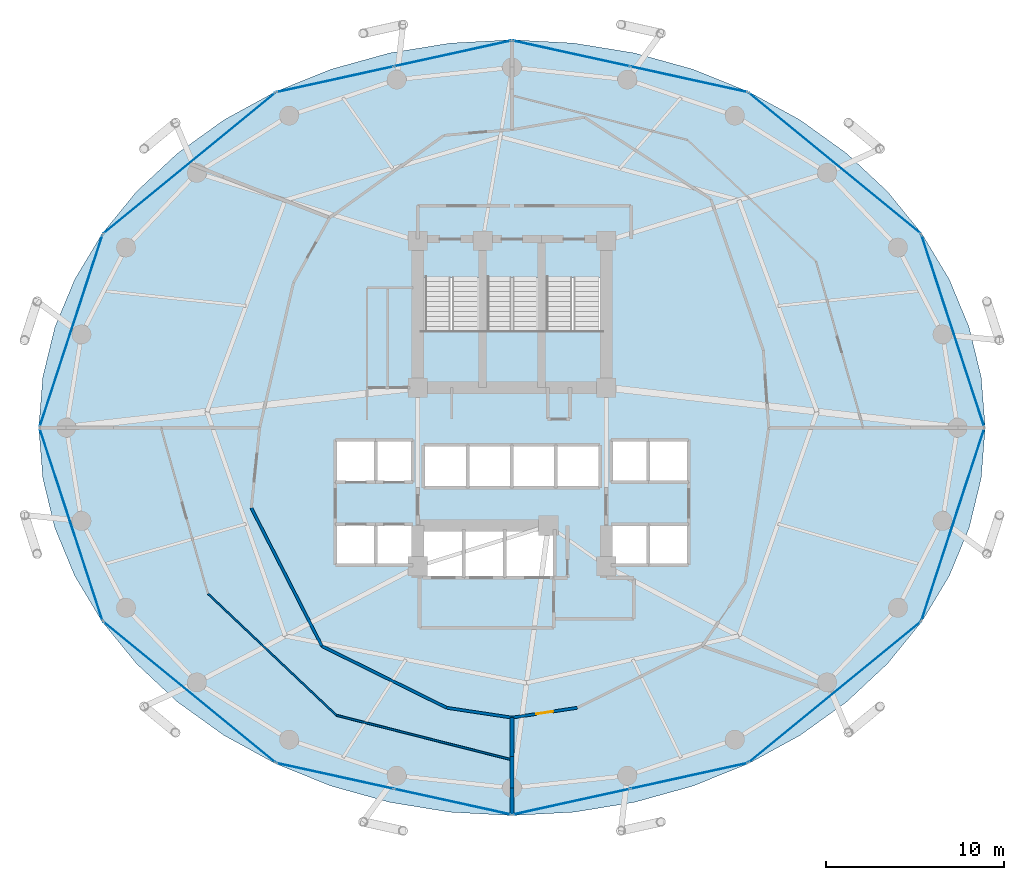
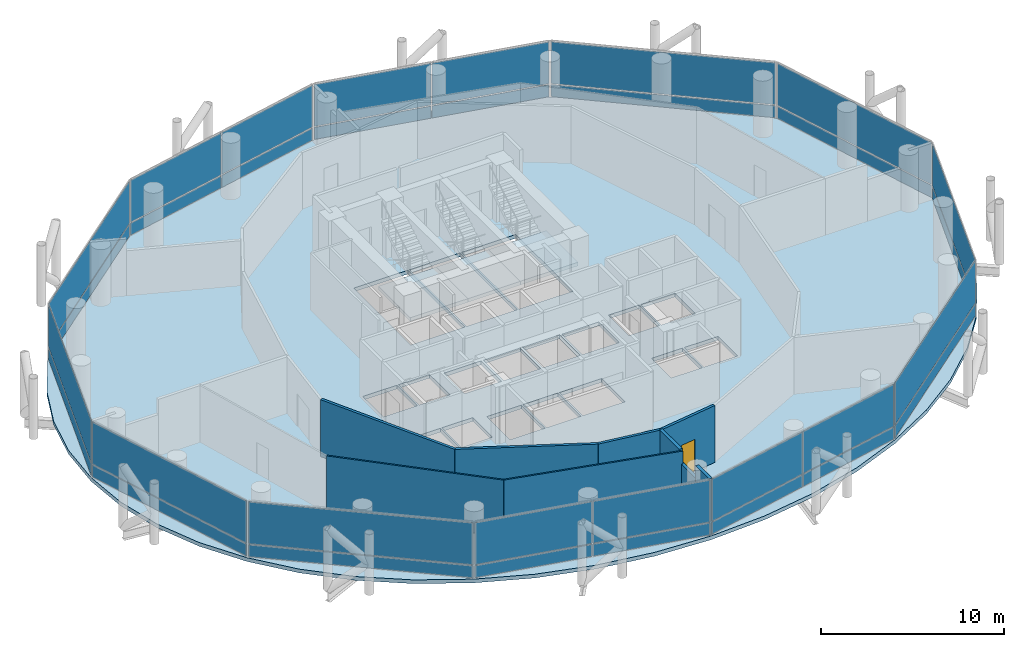
# One storey, part 20 of 24: 32 plates, 9 walls, 4 slabs, 1 door, 1 opening, 15 elements without a shape of their own.
"""IFC4 building model written with IfcOpenShell, lengths in metres."""

from ifc_helpers import new_model, si_unit, direction, frame, frame_2d, origin, origin_2d, place, context, subcontext, project, spatial, polyline, rectangle, outline, extrude, material, layer, layer_set, type_object, element, fill, aggregate, save


model = new_model("IFC4")

# Units and contexts
model_context = context("Model", 3, precision=1e-05, world=origin(), true_north=direction((0.0, 1.0)))
body_context = subcontext(model_context, "Body", "Model", "MODEL_VIEW")
ifc_project = project(units=[si_unit("LENGTHUNIT", "METRE"), si_unit("AREAUNIT", "SQUARE_METRE"), si_unit("VOLUMEUNIT", "CUBIC_METRE"), si_unit("PLANEANGLEUNIT", "RADIAN"), si_unit("MASSUNIT", "GRAM", prefix="KILO")], contexts=[model_context])

# Site, building, storey
site_placement = place(None, origin())
site = spatial("IfcSite", under=ifc_project, at=site_placement, CompositionType="ELEMENT")
building_placement = place(site_placement, origin())
building = spatial("IfcBuilding", under=site, at=building_placement, Name="Nuhasar Tower", CompositionType="ELEMENT")
storey_placement = place(building_placement, frame((0.0, 0.0, 73.64990234375)))
storey = spatial("IfcBuildingStorey", under=building, at=storey_placement, Name="L17", CompositionType="ELEMENT", Elevation=73.64990234375)

# Curtain wall, plate
ifc_material_1 = material(Name="Aluminium 6063-T6", Category="aluminium")
ifc_layer_1 = layer(ifc_material_1, 0.199951171875)
ifc_layer_set_1 = layer_set([ifc_layer_1], Name="Aluminium 6063-T6")
curtain_wall_type = type_object("IfcCurtainWallType", Name="CW-Z1-OFF", PredefinedType="NOTDEFINED", material=ifc_layer_set_1)
curtain_wall_1_placement = place(storey_placement, origin())
curtain_wall_1 = element("IfcCurtainWall", 1, at=curtain_wall_1_placement, inside=storey, type_object=curtain_wall_type, Name="L17 Unitised Curtain Wall 01", PredefinedType="NOTDEFINED")
ifc_material_2 = material(Name="Glass Double Low-E", Category="glass")
ifc_layer_2 = layer(ifc_material_2, 0.028076171875)
ifc_layer_set_2 = layer_set([ifc_layer_2], Name="Glass Double Low-E")
plate_type_1 = type_object("IfcPlateType", Name="CW-PANEL-GLZ", PredefinedType="CURTAIN_PANEL", material=ifc_layer_set_2)
plate_1_placement = place(storey_placement, frame((63.781005859375, 32.239990234375, 0.9326171875), z_axis=(0.0, 0.0, 1.0), x_axis=(-0.310823849997, 0.950467534571, 0.0)))
plate_1 = element("IfcPlate", 2, at=plate_1_placement, type_object=plate_type_1, Name="CW-Z1 panel 1.2", PredefinedType="CURTAIN_PANEL", context=body_context, shape_type="SweptSolid", body=[
    extrude(rectangle(XDim=11.31689453125, YDim=0.028076171875, at=origin_2d()), origin(), (0.0, 0.0, 1.0), 2.802490234375),
])

curtain_wall_2_placement = place(storey_placement, origin())
curtain_wall_2 = element("IfcCurtainWall", 3, at=curtain_wall_2_placement, inside=storey, type_object=curtain_wall_type, Name="L17 Unitised Curtain Wall 02", PredefinedType="NOTDEFINED")
plate_2_placement = place(storey_placement, frame((57.14111328125, 41.66259765625, 0.9326171875), z_axis=(0.0, 0.0, 1.0), x_axis=(-0.773542364946, 0.633744593376, 0.0)))
plate_2 = element("IfcPlate", 4, at=plate_2_placement, type_object=plate_type_1, Name="CW-Z1 panel 1.2", PredefinedType="CURTAIN_PANEL", context=body_context, shape_type="SweptSolid", body=[
    extrude(rectangle(XDim=12.438232421875, YDim=0.028076171875, at=origin_2d()), origin(), (0.0, 0.0, 1.0), 2.802490234375),
])

# Curtain wall, plates
curtain_wall_3_placement = place(storey_placement, origin())
curtain_wall_3 = element("IfcCurtainWall", 5, at=curtain_wall_3_placement, inside=storey, type_object=curtain_wall_type, Name="L17 Unitised Curtain Wall 03", PredefinedType="NOTDEFINED")
plate_3_placement = place(storey_placement, frame((48.944091796875, 46.377197265625, 0.9326171875), z_axis=(0.0, 0.0, 1.0), x_axis=(-0.976746221544, 0.214398737637, 0.0)))
plate_3 = element("IfcPlate", 6, at=plate_3_placement, type_object=plate_type_1, Name="CW-Z1 panel 1.2", PredefinedType="CURTAIN_PANEL", context=body_context, shape_type="SweptSolid", body=[
    extrude(rectangle(XDim=6.70068359375, YDim=0.028076171875, at=origin_2d()), origin(), (0.0, 0.0, 1.0), 2.802490234375),
])
plate_4_placement = place(storey_placement, frame((42.3359375, 47.827880859375, 0.9326171875), z_axis=(0.0, 0.0, 1.0), x_axis=(-0.976746221544, 0.214398737637, 0.0)))
plate_4 = element("IfcPlate", 7, at=plate_4_placement, type_object=plate_type_1, Name="CW-Z1 panel 2.2", PredefinedType="CURTAIN_PANEL", context=body_context, shape_type="SweptSolid", body=[
    extrude(rectangle(XDim=6.70068359375, YDim=0.028076171875, at=origin_2d()), origin(), (0.0, 0.0, 1.0), 2.802490234375),
])

curtain_wall_4_placement = place(storey_placement, origin())
curtain_wall_4 = element("IfcCurtainWall", 8, at=curtain_wall_4_placement, inside=storey, type_object=curtain_wall_type, Name="L17 Unitised Curtain Wall 04", PredefinedType="NOTDEFINED")
plate_5_placement = place(storey_placement, frame((35.6640625, 47.827880859375, 0.9326171875), z_axis=(0.0, 0.0, 1.0), x_axis=(-0.976746221544, -0.214398737637, 0.0)))
plate_5 = element("IfcPlate", 9, at=plate_5_placement, type_object=plate_type_1, Name="CW-Z1 panel 1.2", PredefinedType="CURTAIN_PANEL", context=body_context, shape_type="SweptSolid", body=[
    extrude(rectangle(XDim=6.70068359375, YDim=0.028076171875, at=origin_2d()), origin(), (0.0, 0.0, 1.0), 2.802490234375),
])
plate_6_placement = place(storey_placement, frame((29.055908203125, 46.377197265625, 0.9326171875), z_axis=(0.0, 0.0, 1.0), x_axis=(-0.976746221544, -0.214398737637, 0.0)))
plate_6 = element("IfcPlate", 10, at=plate_6_placement, type_object=plate_type_1, Name="CW-Z1 panel 2.2", PredefinedType="CURTAIN_PANEL", context=body_context, shape_type="SweptSolid", body=[
    extrude(rectangle(XDim=6.70068359375, YDim=0.028076171875, at=origin_2d()), origin(), (0.0, 0.0, 1.0), 2.802490234375),
])

# Curtain wall, plate
curtain_wall_5_placement = place(storey_placement, origin())
curtain_wall_5 = element("IfcCurtainWall", 11, at=curtain_wall_5_placement, inside=storey, type_object=curtain_wall_type, Name="L17 Unitised Curtain Wall 05", PredefinedType="NOTDEFINED")
plate_7_placement = place(storey_placement, frame((20.85888671875, 41.66259765625, 0.9326171875), z_axis=(0.0, 0.0, 1.0), x_axis=(-0.773542364946, -0.633744593376, 0.0)))
plate_7 = element("IfcPlate", 12, at=plate_7_placement, type_object=plate_type_1, Name="CW-Z1 panel 1.2", PredefinedType="CURTAIN_PANEL", context=body_context, shape_type="SweptSolid", body=[
    extrude(rectangle(XDim=12.438232421875, YDim=0.028076171875, at=origin_2d()), origin(), (0.0, 0.0, 1.0), 2.802490234375),
])

curtain_wall_6_placement = place(storey_placement, origin())
curtain_wall_6 = element("IfcCurtainWall", 13, at=curtain_wall_6_placement, inside=storey, type_object=curtain_wall_type, Name="L17 Unitised Curtain Wall 06", PredefinedType="NOTDEFINED")
plate_8_placement = place(storey_placement, frame((14.218994140625, 32.239990234375, 0.9326171875), z_axis=(0.0, 0.0, 1.0), x_axis=(-0.310823849997, -0.950467534571, 0.0)))
plate_8 = element("IfcPlate", 14, at=plate_8_placement, type_object=plate_type_1, Name="CW-Z1 panel 1.2", PredefinedType="CURTAIN_PANEL", context=body_context, shape_type="SweptSolid", body=[
    extrude(rectangle(XDim=11.31689453125, YDim=0.028076171875, at=origin_2d()), origin(), (0.0, 0.0, 1.0), 2.802490234375),
])

curtain_wall_7_placement = place(storey_placement, origin())
curtain_wall_7 = element("IfcCurtainWall", 15, at=curtain_wall_7_placement, inside=storey, type_object=curtain_wall_type, Name="L17 Unitised Curtain Wall 07", PredefinedType="NOTDEFINED")
plate_9_placement = place(storey_placement, frame((14.218994140625, 21.360107421875, 0.9326171875), z_axis=(0.0, 0.0, 1.0), x_axis=(0.310823849997, -0.950467534571, 0.0)))
plate_9 = element("IfcPlate", 16, at=plate_9_placement, type_object=plate_type_1, Name="CW-Z1 panel 1.2", PredefinedType="CURTAIN_PANEL", context=body_context, shape_type="SweptSolid", body=[
    extrude(rectangle(XDim=11.31689453125, YDim=0.028076171875, at=origin_2d()), origin(), (0.0, 0.0, 1.0), 2.802490234375),
])

curtain_wall_8_placement = place(storey_placement, origin())
curtain_wall_8 = element("IfcCurtainWall", 17, at=curtain_wall_8_placement, inside=storey, type_object=curtain_wall_type, Name="L17 Unitised Curtain Wall 08", PredefinedType="NOTDEFINED")
plate_10_placement = place(storey_placement, frame((20.85888671875, 11.9375, 0.9326171875), z_axis=(0.0, 0.0, 1.0), x_axis=(0.773542364946, -0.633744593376, 0.0)))
plate_10 = element("IfcPlate", 18, at=plate_10_placement, type_object=plate_type_1, Name="CW-Z1 panel 1.2", PredefinedType="CURTAIN_PANEL", context=body_context, shape_type="SweptSolid", body=[
    extrude(rectangle(XDim=12.438232421875, YDim=0.028076171875, at=origin_2d()), origin(), (0.0, 0.0, 1.0), 2.802490234375),
])

# Curtain wall, plates
curtain_wall_9_placement = place(storey_placement, origin())
curtain_wall_9 = element("IfcCurtainWall", 19, at=curtain_wall_9_placement, inside=storey, type_object=curtain_wall_type, Name="L17 Unitised Curtain Wall 09", PredefinedType="NOTDEFINED")
plate_11_placement = place(storey_placement, frame((29.055908203125, 7.22265625, 0.9326171875), z_axis=(0.0, 0.0, 1.0), x_axis=(0.976746221544, -0.214398737637, 0.0)))
plate_11 = element("IfcPlate", 20, at=plate_11_placement, type_object=plate_type_1, Name="CW-Z1 panel 1.2", PredefinedType="CURTAIN_PANEL", context=body_context, shape_type="SweptSolid", body=[
    extrude(rectangle(XDim=6.70068359375, YDim=0.028076171875, at=origin_2d()), origin(), (0.0, 0.0, 1.0), 2.802490234375),
])
plate_12_placement = place(storey_placement, frame((35.6640625, 5.772216796875, 0.9326171875), z_axis=(0.0, 0.0, 1.0), x_axis=(0.976746221544, -0.214398737637, 0.0)))
plate_12 = element("IfcPlate", 21, at=plate_12_placement, type_object=plate_type_1, Name="CW-Z1 panel 2.2", PredefinedType="CURTAIN_PANEL", context=body_context, shape_type="SweptSolid", body=[
    extrude(rectangle(XDim=6.70068359375, YDim=0.028076171875, at=origin_2d()), origin(), (0.0, 0.0, 1.0), 2.802490234375),
])

curtain_wall_10_placement = place(storey_placement, origin())
curtain_wall_10 = element("IfcCurtainWall", 22, at=curtain_wall_10_placement, inside=storey, type_object=curtain_wall_type, Name="L17 Unitised Curtain Wall 10", PredefinedType="NOTDEFINED")
plate_13_placement = place(storey_placement, frame((42.3359375, 5.772216796875, 0.9326171875), z_axis=(0.0, 0.0, 1.0), x_axis=(0.976746221544, 0.214398737637, 0.0)))
plate_13 = element("IfcPlate", 23, at=plate_13_placement, type_object=plate_type_1, Name="CW-Z1 panel 1.2", PredefinedType="CURTAIN_PANEL", context=body_context, shape_type="SweptSolid", body=[
    extrude(rectangle(XDim=6.70068359375, YDim=0.028076171875, at=origin_2d()), origin(), (0.0, 0.0, 1.0), 2.802490234375),
])
plate_14_placement = place(storey_placement, frame((48.944091796875, 7.22265625, 0.9326171875), z_axis=(0.0, 0.0, 1.0), x_axis=(0.976746221544, 0.214398737637, 0.0)))
plate_14 = element("IfcPlate", 24, at=plate_14_placement, type_object=plate_type_1, Name="CW-Z1 panel 2.2", PredefinedType="CURTAIN_PANEL", context=body_context, shape_type="SweptSolid", body=[
    extrude(rectangle(XDim=6.70068359375, YDim=0.028076171875, at=origin_2d()), origin(), (0.0, 0.0, 1.0), 2.802490234375),
])

# Curtain wall, plate
curtain_wall_11_placement = place(storey_placement, origin())
curtain_wall_11 = element("IfcCurtainWall", 25, at=curtain_wall_11_placement, inside=storey, type_object=curtain_wall_type, Name="L17 Unitised Curtain Wall 11", PredefinedType="NOTDEFINED")
plate_15_placement = place(storey_placement, frame((57.14111328125, 11.9375, 0.9326171875), z_axis=(0.0, 0.0, 1.0), x_axis=(0.773542364946, 0.633744593376, 0.0)))
plate_15 = element("IfcPlate", 26, at=plate_15_placement, type_object=plate_type_1, Name="CW-Z1 panel 1.2", PredefinedType="CURTAIN_PANEL", context=body_context, shape_type="SweptSolid", body=[
    extrude(rectangle(XDim=12.438232421875, YDim=0.028076171875, at=origin_2d()), origin(), (0.0, 0.0, 1.0), 2.802490234375),
])

curtain_wall_12_placement = place(storey_placement, origin())
curtain_wall_12 = element("IfcCurtainWall", 27, at=curtain_wall_12_placement, inside=storey, type_object=curtain_wall_type, Name="L17 Unitised Curtain Wall 12", PredefinedType="NOTDEFINED")
plate_16_placement = place(storey_placement, frame((63.781005859375, 21.360107421875, 0.9326171875), z_axis=(0.0, 0.0, 1.0), x_axis=(0.310823849997, 0.950467534571, 0.0)))
plate_16 = element("IfcPlate", 28, at=plate_16_placement, type_object=plate_type_1, Name="CW-Z1 panel 1.2", PredefinedType="CURTAIN_PANEL", context=body_context, shape_type="SweptSolid", body=[
    extrude(rectangle(XDim=11.31689453125, YDim=0.028076171875, at=origin_2d()), origin(), (0.0, 0.0, 1.0), 2.802490234375),
])

# Plate
ifc_material_3 = material(Name="Glass Spandrel", Category="glass")
ifc_layer_3 = layer(ifc_material_3, 0.035888671875)
ifc_layer_set_3 = layer_set([ifc_layer_3], Name="Glass Spandrel")
plate_type_2 = type_object("IfcPlateType", Name="CW-PANEL-SPN", PredefinedType="CURTAIN_PANEL", material=ifc_layer_set_3)
plate_17_placement = place(storey_placement, frame((63.781005859375, 32.239990234375, 0.06494140625), z_axis=(0.0, 0.0, 1.0), x_axis=(-0.310823849997, 0.950467534571, 0.0)))
plate_17 = element("IfcPlate", 29, at=plate_17_placement, type_object=plate_type_2, Name="CW-Z1 panel 1.1", PredefinedType="CURTAIN_PANEL", context=body_context, shape_type="SweptSolid", body=[
    extrude(rectangle(XDim=11.31689453125, YDim=0.035888671875, at=origin_2d()), origin(), (0.0, 0.0, 1.0), 0.802490234375),
])

aggregate(curtain_wall_1, [plate_17, plate_1])

plate_18_placement = place(storey_placement, frame((57.14111328125, 41.66259765625, 0.06494140625), z_axis=(0.0, 0.0, 1.0), x_axis=(-0.773542364946, 0.633744593376, 0.0)))
plate_18 = element("IfcPlate", 30, at=plate_18_placement, type_object=plate_type_2, Name="CW-Z1 panel 1.1", PredefinedType="CURTAIN_PANEL", context=body_context, shape_type="SweptSolid", body=[
    extrude(rectangle(XDim=12.438232421875, YDim=0.035888671875, at=origin_2d()), origin(), (0.0, 0.0, 1.0), 0.802490234375),
])

aggregate(curtain_wall_2, [plate_18, plate_2])

plate_19_placement = place(storey_placement, frame((48.944091796875, 46.377197265625, 0.06494140625), z_axis=(0.0, 0.0, 1.0), x_axis=(-0.976746221544, 0.214398737637, 0.0)))
plate_19 = element("IfcPlate", 31, at=plate_19_placement, type_object=plate_type_2, Name="CW-Z1 panel 1.1", PredefinedType="CURTAIN_PANEL", context=body_context, shape_type="SweptSolid", body=[
    extrude(rectangle(XDim=6.70068359375, YDim=0.035888671875, at=origin_2d()), origin(), (0.0, 0.0, 1.0), 0.802490234375),
])

plate_20_placement = place(storey_placement, frame((42.3359375, 47.827880859375, 0.06494140625), z_axis=(0.0, 0.0, 1.0), x_axis=(-0.976746221544, 0.214398737637, 0.0)))
plate_20 = element("IfcPlate", 32, at=plate_20_placement, type_object=plate_type_2, Name="CW-Z1 panel 2.1", PredefinedType="CURTAIN_PANEL", context=body_context, shape_type="SweptSolid", body=[
    extrude(rectangle(XDim=6.70068359375, YDim=0.035888671875, at=origin_2d()), origin(), (0.0, 0.0, 1.0), 0.802490234375),
])

aggregate(curtain_wall_3, [plate_19, plate_3, plate_20, plate_4])

plate_21_placement = place(storey_placement, frame((35.6640625, 47.827880859375, 0.06494140625), z_axis=(0.0, 0.0, 1.0), x_axis=(-0.976746221544, -0.214398737637, 0.0)))
plate_21 = element("IfcPlate", 33, at=plate_21_placement, type_object=plate_type_2, Name="CW-Z1 panel 1.1", PredefinedType="CURTAIN_PANEL", context=body_context, shape_type="SweptSolid", body=[
    extrude(rectangle(XDim=6.70068359375, YDim=0.035888671875, at=origin_2d()), origin(), (0.0, 0.0, 1.0), 0.802490234375),
])

plate_22_placement = place(storey_placement, frame((29.055908203125, 46.377197265625, 0.06494140625), z_axis=(0.0, 0.0, 1.0), x_axis=(-0.976746221544, -0.214398737637, 0.0)))
plate_22 = element("IfcPlate", 34, at=plate_22_placement, type_object=plate_type_2, Name="CW-Z1 panel 2.1", PredefinedType="CURTAIN_PANEL", context=body_context, shape_type="SweptSolid", body=[
    extrude(rectangle(XDim=6.70068359375, YDim=0.035888671875, at=origin_2d()), origin(), (0.0, 0.0, 1.0), 0.802490234375),
])

aggregate(curtain_wall_4, [plate_21, plate_5, plate_22, plate_6])

plate_23_placement = place(storey_placement, frame((20.85888671875, 41.66259765625, 0.06494140625), z_axis=(0.0, 0.0, 1.0), x_axis=(-0.773542364946, -0.633744593376, 0.0)))
plate_23 = element("IfcPlate", 35, at=plate_23_placement, type_object=plate_type_2, Name="CW-Z1 panel 1.1", PredefinedType="CURTAIN_PANEL", context=body_context, shape_type="SweptSolid", body=[
    extrude(rectangle(XDim=12.438232421875, YDim=0.035888671875, at=origin_2d()), origin(), (0.0, 0.0, 1.0), 0.802490234375),
])

aggregate(curtain_wall_5, [plate_23, plate_7])

plate_24_placement = place(storey_placement, frame((14.218994140625, 32.239990234375, 0.06494140625), z_axis=(0.0, 0.0, 1.0), x_axis=(-0.310823849997, -0.950467534571, 0.0)))
plate_24 = element("IfcPlate", 36, at=plate_24_placement, type_object=plate_type_2, Name="CW-Z1 panel 1.1", PredefinedType="CURTAIN_PANEL", context=body_context, shape_type="SweptSolid", body=[
    extrude(rectangle(XDim=11.31689453125, YDim=0.035888671875, at=origin_2d()), origin(), (0.0, 0.0, 1.0), 0.802490234375),
])

aggregate(curtain_wall_6, [plate_24, plate_8])

plate_25_placement = place(storey_placement, frame((14.218994140625, 21.360107421875, 0.06494140625), z_axis=(0.0, 0.0, 1.0), x_axis=(0.310823849997, -0.950467534571, 0.0)))
plate_25 = element("IfcPlate", 37, at=plate_25_placement, type_object=plate_type_2, Name="CW-Z1 panel 1.1", PredefinedType="CURTAIN_PANEL", context=body_context, shape_type="SweptSolid", body=[
    extrude(rectangle(XDim=11.31689453125, YDim=0.035888671875, at=origin_2d()), origin(), (0.0, 0.0, 1.0), 0.802490234375),
])

aggregate(curtain_wall_7, [plate_25, plate_9])

plate_26_placement = place(storey_placement, frame((20.85888671875, 11.9375, 0.06494140625), z_axis=(0.0, 0.0, 1.0), x_axis=(0.773542364946, -0.633744593376, 0.0)))
plate_26 = element("IfcPlate", 38, at=plate_26_placement, type_object=plate_type_2, Name="CW-Z1 panel 1.1", PredefinedType="CURTAIN_PANEL", context=body_context, shape_type="SweptSolid", body=[
    extrude(rectangle(XDim=12.438232421875, YDim=0.035888671875, at=origin_2d()), origin(), (0.0, 0.0, 1.0), 0.802490234375),
])

aggregate(curtain_wall_8, [plate_26, plate_10])

plate_27_placement = place(storey_placement, frame((29.055908203125, 7.22265625, 0.06494140625), z_axis=(0.0, 0.0, 1.0), x_axis=(0.976746221544, -0.214398737637, 0.0)))
plate_27 = element("IfcPlate", 39, at=plate_27_placement, type_object=plate_type_2, Name="CW-Z1 panel 1.1", PredefinedType="CURTAIN_PANEL", context=body_context, shape_type="SweptSolid", body=[
    extrude(rectangle(XDim=6.70068359375, YDim=0.035888671875, at=origin_2d()), origin(), (0.0, 0.0, 1.0), 0.802490234375),
])

plate_28_placement = place(storey_placement, frame((35.6640625, 5.772216796875, 0.06494140625), z_axis=(0.0, 0.0, 1.0), x_axis=(0.976746221544, -0.214398737637, 0.0)))
plate_28 = element("IfcPlate", 40, at=plate_28_placement, type_object=plate_type_2, Name="CW-Z1 panel 2.1", PredefinedType="CURTAIN_PANEL", context=body_context, shape_type="SweptSolid", body=[
    extrude(rectangle(XDim=6.70068359375, YDim=0.035888671875, at=origin_2d()), origin(), (0.0, 0.0, 1.0), 0.802490234375),
])

aggregate(curtain_wall_9, [plate_27, plate_11, plate_28, plate_12])

plate_29_placement = place(storey_placement, frame((42.3359375, 5.772216796875, 0.06494140625), z_axis=(0.0, 0.0, 1.0), x_axis=(0.976746221544, 0.214398737637, 0.0)))
plate_29 = element("IfcPlate", 41, at=plate_29_placement, type_object=plate_type_2, Name="CW-Z1 panel 1.1", PredefinedType="CURTAIN_PANEL", context=body_context, shape_type="SweptSolid", body=[
    extrude(rectangle(XDim=6.70068359375, YDim=0.035888671875, at=origin_2d()), origin(), (0.0, 0.0, 1.0), 0.802490234375),
])

plate_30_placement = place(storey_placement, frame((48.944091796875, 7.22265625, 0.06494140625), z_axis=(0.0, 0.0, 1.0), x_axis=(0.976746221544, 0.214398737637, 0.0)))
plate_30 = element("IfcPlate", 42, at=plate_30_placement, type_object=plate_type_2, Name="CW-Z1 panel 2.1", PredefinedType="CURTAIN_PANEL", context=body_context, shape_type="SweptSolid", body=[
    extrude(rectangle(XDim=6.70068359375, YDim=0.035888671875, at=origin_2d()), origin(), (0.0, 0.0, 1.0), 0.802490234375),
])

aggregate(curtain_wall_10, [plate_29, plate_13, plate_30, plate_14])

plate_31_placement = place(storey_placement, frame((57.14111328125, 11.9375, 0.06494140625), z_axis=(0.0, 0.0, 1.0), x_axis=(0.773542364946, 0.633744593376, 0.0)))
plate_31 = element("IfcPlate", 43, at=plate_31_placement, type_object=plate_type_2, Name="CW-Z1 panel 1.1", PredefinedType="CURTAIN_PANEL", context=body_context, shape_type="SweptSolid", body=[
    extrude(rectangle(XDim=12.438232421875, YDim=0.035888671875, at=origin_2d()), origin(), (0.0, 0.0, 1.0), 0.802490234375),
])

aggregate(curtain_wall_11, [plate_31, plate_15])

plate_32_placement = place(storey_placement, frame((63.781005859375, 21.360107421875, 0.06494140625), z_axis=(0.0, 0.0, 1.0), x_axis=(0.310823849997, 0.950467534571, 0.0)))
plate_32 = element("IfcPlate", 44, at=plate_32_placement, type_object=plate_type_2, Name="CW-Z1 panel 1.1", PredefinedType="CURTAIN_PANEL", context=body_context, shape_type="SweptSolid", body=[
    extrude(rectangle(XDim=11.31689453125, YDim=0.035888671875, at=origin_2d()), origin(), (0.0, 0.0, 1.0), 0.802490234375),
])

aggregate(curtain_wall_12, [plate_32, plate_16])

# Stair, slab
ifc_material_4 = material(Name="Concrete C45/55", Category="concrete")
stair_type_1 = type_object("IfcStairType", Name="STR-ST-01-2F-24R-1688", PredefinedType="HALF_TURN_STAIR", material=ifc_material_4)
stair_1_placement = place(storey_placement, origin())
stair_1 = element("IfcStair", 45, at=stair_1_placement, inside=storey, type_object=stair_type_1, Name="L17 Exit Stair ST-01", PredefinedType="HALF_TURN_STAIR")
ifc_layer_4 = layer(ifc_material_4, 0.239990234375)
ifc_layer_set_4 = layer_set([ifc_layer_4], Name="Concrete C45/55")
slab_type_1 = type_object("IfcSlabType", Name="SLB-STAIR-LND-240", PredefinedType="LANDING", material=ifc_layer_set_4)
slab_1_placement = place(storey_placement, frame((0.0, 0.0, 1.78515625)))
slab_1 = element("IfcSlab", 46, at=slab_1_placement, type_object=slab_type_1, Name="ST-01 landing 1", PredefinedType="LANDING", context=body_context, shape_type="SweptSolid", body=[
    extrude(outline(polyline([(33.699951171875, 28.75), (37.35009765625, 28.75), (37.35009765625, 32.239990234375), (33.699951171875, 32.239990234375), (33.699951171875, 28.75)])), origin(), (0.0, 0.0, 1.0), 0.239990234375),
])
aggregate(stair_1, [slab_1])

stair_type_2 = type_object("IfcStairType", Name="STR-ST-03-2F-24R-1688", PredefinedType="HALF_TURN_STAIR", material=ifc_material_4)
stair_2_placement = place(storey_placement, origin())
stair_2 = element("IfcStair", 47, at=stair_2_placement, inside=storey, type_object=stair_type_2, Name="L17 Exit Stair ST-03", PredefinedType="HALF_TURN_STAIR")
slab_2_placement = place(storey_placement, frame((0.0, 0.0, 1.78515625)))
slab_2 = element("IfcSlab", 48, at=slab_2_placement, type_object=slab_type_1, Name="ST-03 landing 1", PredefinedType="LANDING", context=body_context, shape_type="SweptSolid", body=[
    extrude(outline(polyline([(37.35009765625, 28.75), (40.64990234375, 28.75), (40.64990234375, 32.239990234375), (37.35009765625, 32.239990234375), (37.35009765625, 28.75)])), origin(), (0.0, 0.0, 1.0), 0.239990234375),
])
aggregate(stair_2, [slab_2])

stair_type_3 = type_object("IfcStairType", Name="STR-ST-02-2F-24R-1688", PredefinedType="HALF_TURN_STAIR", material=ifc_material_4)
stair_3_placement = place(storey_placement, origin())
stair_3 = element("IfcStair", 49, at=stair_3_placement, inside=storey, type_object=stair_type_3, Name="L17 Exit Stair ST-02", PredefinedType="HALF_TURN_STAIR")
slab_3_placement = place(storey_placement, frame((0.0, 0.0, 1.78515625)))
slab_3 = element("IfcSlab", 50, at=slab_3_placement, type_object=slab_type_1, Name="ST-02 landing 1", PredefinedType="LANDING", context=body_context, shape_type="SweptSolid", body=[
    extrude(outline(polyline([(40.64990234375, 28.75), (44.300048828125, 28.75), (44.300048828125, 32.239990234375), (40.64990234375, 32.239990234375), (40.64990234375, 28.75)])), origin(), (0.0, 0.0, 1.0), 0.239990234375),
])
aggregate(stair_3, [slab_3])

# Slab
ifc_layer_5 = layer(ifc_material_4, 0.25)
ifc_layer_set_5 = layer_set([ifc_layer_5], Name="Concrete C45/55")
slab_type_2 = type_object("IfcSlabType", Name="SLB-Z1B-250", PredefinedType="FLOOR", material=ifc_layer_set_5)
slab_4_placement = place(storey_placement, frame((0.0, 0.0, -0.25)))
element("IfcSlab", 51, at=slab_4_placement, inside=storey, type_object=slab_type_2, Name="L17 Structural Slab", PredefinedType="FLOOR", context=body_context, shape_type="SweptSolid", body=[
    extrude(outline(polyline([(65.60009765625, 26.800048828125), (65.3720703125, 29.64501953125), (64.694091796875, 32.44189453125), (63.574951171875, 35.14208984375), (62.035888671875, 37.699951171875), (60.10302734375, 40.071044921875), (57.80908203125, 42.215087890625), (55.193115234375, 44.094970703125), (52.300048828125, 45.678955078125), (49.178955078125, 46.94091796875), (45.885009765625, 47.85693359375), (42.471923828125, 48.4130859375), (39.0, 48.60009765625), (35.528076171875, 48.4130859375), (32.114990234375, 47.85693359375), (28.821044921875, 46.94091796875), (25.699951171875, 45.678955078125), (22.806884765625, 44.094970703125), (20.19091796875, 42.215087890625), (17.89697265625, 40.071044921875), (15.964111328125, 37.699951171875), (14.425048828125, 35.14208984375), (13.305908203125, 32.44189453125), (12.6279296875, 29.64501953125), (12.39990234375, 26.800048828125), (12.6279296875, 23.955078125), (13.305908203125, 21.157958984375), (14.425048828125, 18.4580078125), (15.964111328125, 15.89990234375), (17.89697265625, 13.529052734375), (20.19091796875, 11.385009765625), (22.806884765625, 9.5048828125), (25.699951171875, 7.9208984375), (28.821044921875, 6.658935546875), (32.114990234375, 5.742919921875), (35.528076171875, 5.18701171875), (39.0, 5.0), (42.471923828125, 5.18701171875), (45.885009765625, 5.742919921875), (49.178955078125, 6.658935546875), (52.300048828125, 7.9208984375), (55.193115234375, 9.5048828125), (57.80908203125, 11.385009765625), (60.10302734375, 13.529052734375), (62.035888671875, 15.89990234375), (63.574951171875, 18.4580078125), (64.694091796875, 21.157958984375), (65.3720703125, 23.955078125), (65.60009765625, 26.800048828125)]), holes=[polyline([(33.8798828125, 35.25), (37.300048828125, 35.25), (37.300048828125, 29.0), (33.8798828125, 29.0), (33.8798828125, 35.25)]), polyline([(37.39990234375, 35.25), (40.60009765625, 35.25), (40.60009765625, 29.0), (37.39990234375, 29.0), (37.39990234375, 35.25)]), polyline([(40.699951171875, 35.25), (44.1201171875, 35.25), (44.1201171875, 29.0), (40.699951171875, 29.0), (40.699951171875, 35.25)]), polyline([(29.14990234375, 26.050048828125), (31.300048828125, 26.050048828125), (31.300048828125, 23.800048828125), (29.14990234375, 23.800048828125), (29.14990234375, 26.050048828125)]), polyline([(31.39990234375, 26.050048828125), (33.35009765625, 26.050048828125), (33.35009765625, 23.800048828125), (31.39990234375, 23.800048828125), (31.39990234375, 26.050048828125)]), polyline([(29.14990234375, 21.300048828125), (31.300048828125, 21.300048828125), (31.300048828125, 19.14990234375), (29.14990234375, 19.14990234375), (29.14990234375, 21.300048828125)]), polyline([(31.39990234375, 21.300048828125), (33.35009765625, 21.300048828125), (33.35009765625, 19.14990234375), (31.39990234375, 19.14990234375), (31.39990234375, 21.300048828125)]), polyline([(44.64990234375, 26.050048828125), (46.60009765625, 26.050048828125), (46.60009765625, 23.800048828125), (44.64990234375, 23.800048828125), (44.64990234375, 26.050048828125)]), polyline([(46.699951171875, 26.050048828125), (48.85009765625, 26.050048828125), (48.85009765625, 23.800048828125), (46.699951171875, 23.800048828125), (46.699951171875, 26.050048828125)]), polyline([(44.64990234375, 21.300048828125), (46.60009765625, 21.300048828125), (46.60009765625, 19.14990234375), (44.64990234375, 19.14990234375), (44.64990234375, 21.300048828125)]), polyline([(46.699951171875, 21.300048828125), (48.85009765625, 21.300048828125), (48.85009765625, 19.14990234375), (46.699951171875, 19.14990234375), (46.699951171875, 21.300048828125)]), polyline([(34.10009765625, 25.75), (36.43994140625, 25.75), (36.43994140625, 23.5), (34.10009765625, 23.5), (34.10009765625, 25.75)]), polyline([(36.580078125, 25.75), (38.919921875, 25.75), (38.919921875, 23.5), (36.580078125, 23.5), (36.580078125, 25.75)]), polyline([(39.06005859375, 25.75), (41.39990234375, 25.75), (41.39990234375, 23.5), (39.06005859375, 23.5), (39.06005859375, 25.75)]), polyline([(41.5400390625, 25.75), (43.8798828125, 25.75), (43.8798828125, 23.5), (41.5400390625, 23.5), (41.5400390625, 25.75)]), polyline([(34.050048828125, 21.0), (36.25, 21.0), (36.25, 18.449951171875), (34.050048828125, 18.449951171875), (34.050048828125, 21.0)]), polyline([(36.35009765625, 21.0), (38.550048828125, 21.0), (38.550048828125, 18.449951171875), (36.35009765625, 18.449951171875), (36.35009765625, 21.0)]), polyline([(38.64990234375, 21.0), (41.320068359375, 21.0), (41.320068359375, 18.449951171875), (38.64990234375, 18.449951171875), (38.64990234375, 21.0)])]), origin(), (0.0, 0.0, 1.0), 0.25),
])

# Walls
ifc_material_5 = material(Name="Gypsum Board", Category="gypsum")
ifc_layer_6 = layer(ifc_material_5, 0.159912109375)
ifc_layer_set_6 = layer_set([ifc_layer_6], Name="Gypsum Board")
wall_type_1 = type_object("IfcWallType", Name="WL-CORR-160", PredefinedType="PARTITIONING", material=ifc_layer_set_6)
wall_1_placement = place(storey_placement, frame((24.346923828125, 22.287109375, 0.0), z_axis=(0.0, 0.0, 1.0), x_axis=(0.455122402034, -0.890428884958, 0.0)))
element("IfcWall", 52, at=wall_1_placement, inside=storey, type_object=wall_type_1, Name="L17 Interior Partition CORR-26", PredefinedType="PARTITIONING", context=body_context, shape_type="SweptSolid", body=[
    extrude(rectangle(XDim=8.722900390625, YDim=0.159912109375, at=frame_2d((4.361328125, 0.0))), origin(), (0.0, 0.0, 1.0), 3.800048828125),
])
wall_2_placement = place(storey_placement, frame((28.31689453125, 14.52001953125, 0.0), z_axis=(0.0, 0.0, 1.0), x_axis=(0.896539401739, -0.442963995296, 0.0)))
element("IfcWall", 53, at=wall_2_placement, inside=storey, type_object=wall_type_1, Name="L17 Interior Partition CORR-30", PredefinedType="PARTITIONING", context=body_context, shape_type="SweptSolid", body=[
    extrude(rectangle(XDim=7.822509765625, YDim=0.159912109375, at=frame_2d((3.9111328125, 0.0))), origin(), (0.0, 0.0, 1.0), 3.800048828125),
])
wall_3_placement = place(storey_placement, frame((35.330078125, 11.054931640625, 0.0), z_axis=(0.0, 0.0, 1.0), x_axis=(0.988760040019, -0.149511147616, 0.0)))
element("IfcWall", 54, at=wall_3_placement, inside=storey, type_object=wall_type_1, Name="L17 Interior Partition CORR-34", PredefinedType="PARTITIONING", context=body_context, shape_type="SweptSolid", body=[
    extrude(rectangle(XDim=3.711669921875, YDim=0.159912109375, at=frame_2d((1.85595703125, 0.0))), origin(), (0.0, 0.0, 1.0), 3.800048828125),
])

# Wall, opening, door
wall_4_placement = place(storey_placement, frame((42.669921875, 11.054931640625, 0.0), z_axis=(0.0, 0.0, 1.0), x_axis=(-0.988760040019, -0.149511147616, 0.0)))
wall_4 = element("IfcWall", 55, at=wall_4_placement, inside=storey, type_object=wall_type_1, Name="L17 Interior Partition CORR-36", PredefinedType="PARTITIONING", context=body_context, shape_type="SweptSolid", body=[
    extrude(rectangle(XDim=3.711669921875, YDim=0.159912109375, at=frame_2d((1.85595703125, 0.0))), origin(), (0.0, 0.0, 1.0), 3.800048828125),
])
opening_placement = place(wall_4_placement, frame((1.381103515625, 0.0, 0.0)))
opening = element("IfcOpeningElement", 56, at=opening_placement, cuts=wall_4, Name="Opening DO-01", PredefinedType="OPENING", context=body_context, shape_type="SweptSolid", body=[
    extrude(rectangle(XDim=0.949951171875, YDim=2.14990234375, at=frame_2d((0.47509765625, 1.074951171875))), frame((0.0, 0.08984375, 0.0), z_axis=(0.0, -1.0, 0.0), x_axis=(1.0, 0.0, 0.0)), (0.0, 0.0, 1.0), 0.179931640625),
])
ifc_material_6 = material(Name="Timber Oak", Category="wood")
door_type = type_object("IfcDoorType", Name="DR-OFFICE-FD30-950", OperationType="NOTDEFINED", PredefinedType="DOOR", material=ifc_material_6)
door_placement = place(opening_placement, origin())
door = element("IfcDoor", 57, at=door_placement, inside=storey, type_object=door_type, Name="L17 Scrum Seminar Room Entry Door", OperationType="SINGLE_SWING_LEFT", OverallHeight=2.14990234375, OverallWidth=0.949951171875, PredefinedType="DOOR", context=body_context, shape_type="SweptSolid", body=[
    extrude(rectangle(XDim=0.949951171875, YDim=2.14990234375, at=frame_2d((0.47509765625, 1.074951171875))), frame((0.0, 0.02490234375, 0.0), z_axis=(0.0, -1.0, 0.0), x_axis=(1.0, 0.0, 0.0)), (0.0, 0.0, 1.0), 0.050048828125),
])
fill(opening, door)

# Walls
ifc_layer_7 = layer(ifc_material_1, 0.10009765625)
ifc_layer_set_7 = layer_set([ifc_layer_7], Name="Aluminium 6063-T6")
wall_type_2 = type_object("IfcWallType", Name="WL-MOVABLE-100", PredefinedType="MOVABLE", material=ifc_layer_set_7)
wall_5_placement = place(storey_placement, frame((21.909912109375, 17.465087890625, 0.0), z_axis=(0.0, 0.0, 1.0), x_axis=(0.726342861774, -0.687332559355, 0.0)))
element("IfcWall", 58, at=wall_5_placement, inside=storey, type_object=wall_type_2, Name="L17 Interior Partition OMID-04-28", PredefinedType="MOVABLE", context=body_context, shape_type="SweptSolid", body=[
    extrude(rectangle(XDim=9.944580078125, YDim=0.10009765625, at=frame_2d((4.97216796875, 0.0))), origin(), (0.0, 0.0, 1.0), 3.800048828125),
])
wall_6_placement = place(storey_placement, frame((29.133056640625, 10.6298828125, 0.0), z_axis=(0.0, 0.0, 1.0), x_axis=(0.969345835611, -0.245700327601, 0.0)))
element("IfcWall", 59, at=wall_6_placement, inside=storey, type_object=wall_type_2, Name="L17 Interior Partition OMID-04-32", PredefinedType="MOVABLE", context=body_context, shape_type="SweptSolid", body=[
    extrude(rectangle(XDim=10.178955078125, YDim=0.10009765625, at=frame_2d((5.08935546875, 0.0))), origin(), (0.0, 0.0, 1.0), 3.800048828125),
])
ifc_material_7 = material(Name="Concrete C40/50 precast", Category="concrete")
ifc_layer_8 = layer(ifc_material_7, 0.199951171875)
ifc_layer_set_8 = layer_set([ifc_layer_8], Name="Concrete C40/50 precast")
wall_type_3 = type_object("IfcWallType", Name="WL-UNIT-200", PredefinedType="PARTITIONING", material=ifc_layer_set_8)
wall_7_placement = place(storey_placement, frame((39.0, 10.5, 0.0), z_axis=(0.0, 0.0, 1.0), x_axis=(0.0, -1.0, 0.0)))
element("IfcWall", 60, at=wall_7_placement, inside=storey, type_object=wall_type_3, Name="L17 Interior Partition ORAD-36", PredefinedType="PARTITIONING", context=body_context, shape_type="SweptSolid", body=[
    extrude(rectangle(XDim=2.169921875, YDim=0.199951171875, at=frame_2d((1.0849609375, 0.0))), origin(), (0.0, 0.0, 1.0), 3.800048828125),
])
wall_8_placement = place(storey_placement, frame((39.0, 8.330078125, 0.0), z_axis=(0.0, 0.0, 1.0), x_axis=(0.0, -1.0, 0.0)))
element("IfcWall", 61, at=wall_8_placement, inside=storey, type_object=wall_type_3, Name="L17 Interior Partition ORAD-36", PredefinedType="PARTITIONING", context=body_context, shape_type="SweptSolid", body=[
    extrude(rectangle(XDim=1.794189453125, YDim=0.199951171875, at=frame_2d((0.89697265625, 0.0))), origin(), (0.0, 0.0, 1.0), 2.940185546875),
])
wall_9_placement = place(storey_placement, frame((39.0, 6.535888671875, 0.0), z_axis=(0.0, 0.0, 1.0), x_axis=(0.0, -1.0, 0.0)))
element("IfcWall", 62, at=wall_9_placement, inside=storey, type_object=wall_type_3, Name="L17 Interior Partition ORAD-36", PredefinedType="PARTITIONING", context=body_context, shape_type="SweptSolid", body=[
    extrude(rectangle(XDim=1.4609375, YDim=0.199951171875, at=frame_2d((0.73046875, 0.0))), origin(), (0.0, 0.0, 1.0), 3.800048828125),
])

save(model, "model.ifc")
